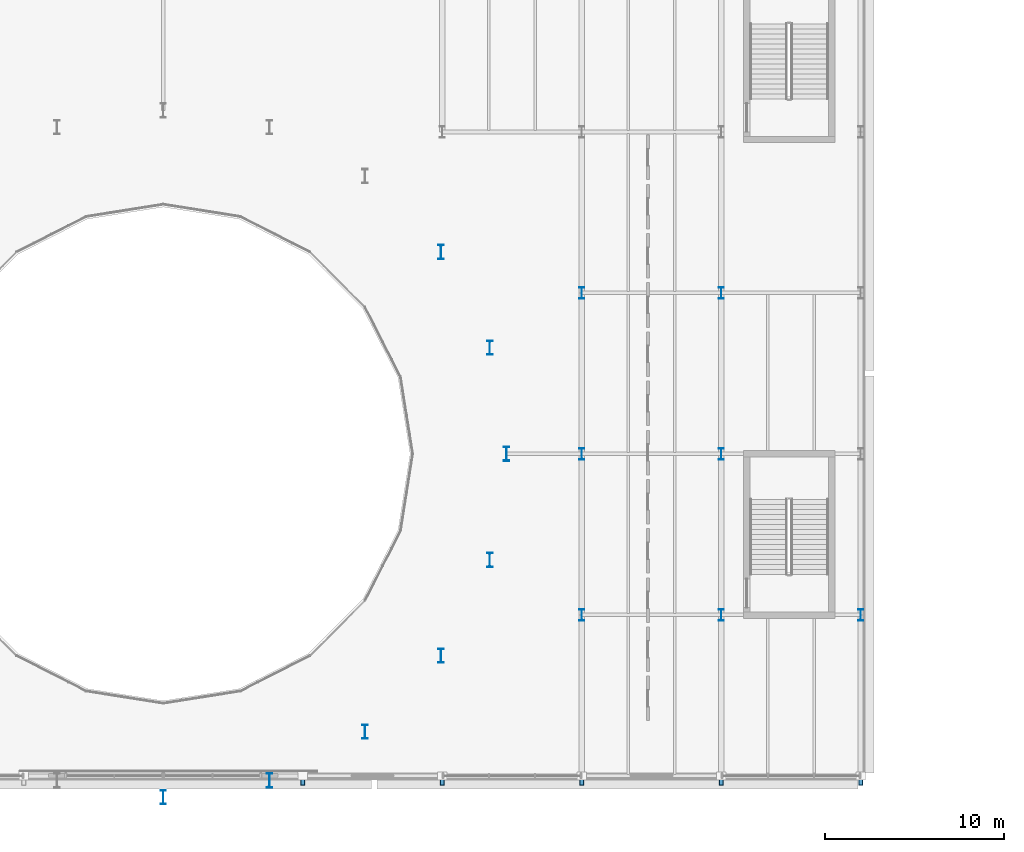
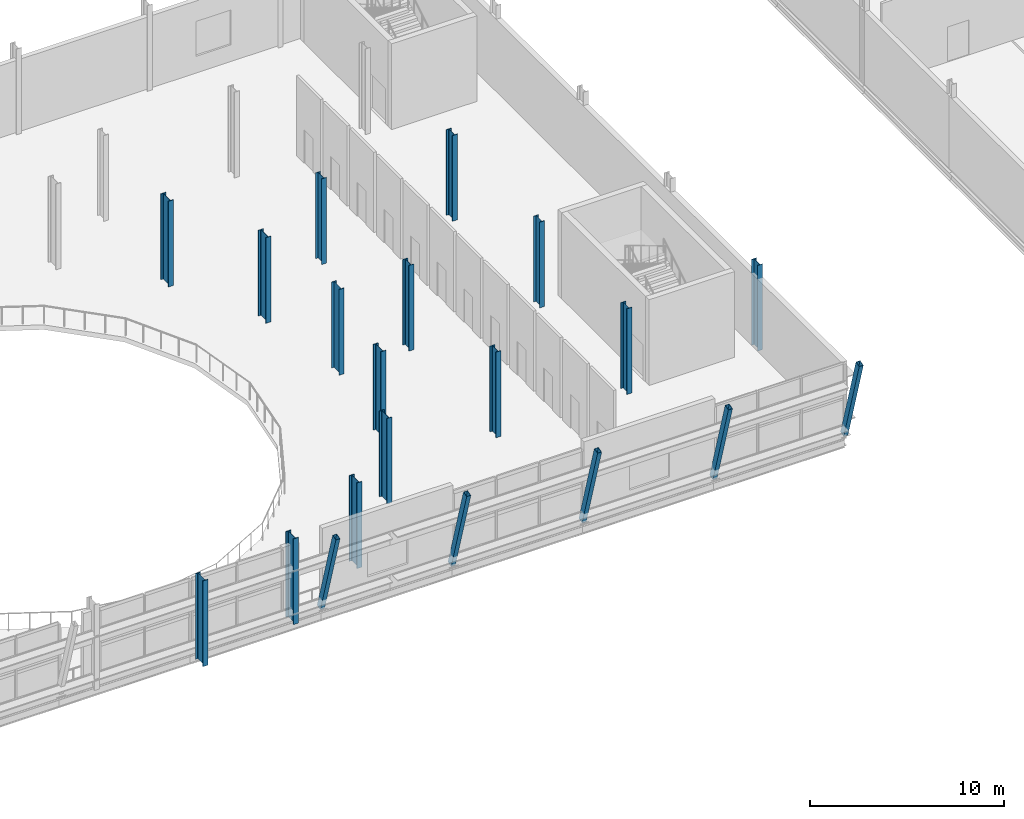
# One storey, part 4 of 78: 20 columns.
"""IFC4 building model written with IfcOpenShell, lengths in metres."""

from ifc_helpers import new_model, si_unit, direction, frame, origin, origin_2d, place, context, subcontext, project, spatial, hollow_rectangle, i_section, extrude, material, material_profile, profile_set, type_object, element, save


model = new_model("IFC4")

# Units and contexts
model_context = context("Model", 3, precision=1e-05, world=origin(), true_north=direction((0.0, 1.0)))
body_context = subcontext(model_context, "Body", "Model", "MODEL_VIEW")
ifc_project = project(units=[si_unit("LENGTHUNIT", "METRE"), si_unit("AREAUNIT", "SQUARE_METRE"), si_unit("VOLUMEUNIT", "CUBIC_METRE"), si_unit("PLANEANGLEUNIT", "RADIAN"), si_unit("MASSUNIT", "GRAM", prefix="KILO")], contexts=[model_context])

# Site, building, storey
site_placement = place(None, origin())
site = spatial("IfcSite", under=ifc_project, at=site_placement, CompositionType="ELEMENT")
building_placement = place(site_placement, origin())
building = spatial("IfcBuilding", under=site, at=building_placement, Name="Sefraquen Railside Congress Hotel", CompositionType="ELEMENT")
storey_placement = place(building_placement, frame((0.0, 0.0, 6.0)))
storey = spatial("IfcBuildingStorey", under=building, at=storey_placement, Name="L01", CompositionType="ELEMENT", Elevation=6.0)

# Columns
ifc_material_1 = material(Name="Steel S355JR", Category="steel")
ifc_material_profile_1 = material_profile(ifc_material_1, i_section(OverallWidth=0.300048828125, OverallDepth=0.64990234375, WebThickness=0.01611328125, FlangeThickness=0.031005859375, FilletRadius=0.027099609375, at=origin_2d()), Name="HEB 650")
ifc_profile_set_1 = profile_set([ifc_material_profile_1], Name="Steel S355JR")
column_type_1 = type_object("IfcColumnType", Name="TC-HEB-650", PredefinedType="COLUMN", material=ifc_profile_set_1)
for number, where, z_axis, x_axis, name in (
    (1, (87.60009765625, 18.0, 0.0), (0.0, 0.0, 1.0), (1.0, 0.0, 0.0), "Structural column 12-C L01"),
    (2, (87.60009765625, 27.0, 0.0), (0.0, 0.0, 1.0), (1.0, 0.0, 0.0), "Structural column 12-D L01"),
    (3, (87.60009765625, 36.0, 0.0), (0.0, 0.0, 1.0), (1.0, 0.0, 0.0), "Structural column 12-E L01"),
    (4, (95.39990234375, 18.0, 0.0), (0.0, 0.0, 1.0), (1.0, 0.0, 0.0), "Structural column 13-C L01"),
    (5, (95.39990234375, 27.0, 0.0), (0.0, 0.0, 1.0), (1.0, 0.0, 0.0), "Structural column 13-D L01"),
    (6, (95.39990234375, 36.0, 0.0), (0.0, 0.0, 1.0), (1.0, 0.0, 0.0), "Structural column 13-E L01"),
    (7, (103.199951171875, 18.0, 0.0), (0.0, 0.0, 1.0), (1.0, 0.0, 0.0), "Structural column 14-C L01"),
):
    element("IfcColumn", number, at=place(storey_placement, frame(where, z_axis=z_axis, x_axis=x_axis)), inside=storey, type_object=column_type_1, Name=name, PredefinedType="COLUMN", context=body_context, shape_type="SweptSolid", body=[
        extrude(i_section(OverallWidth=0.300048828125, OverallDepth=0.64990234375, WebThickness=0.01611328125, FlangeThickness=0.031005859375, FilletRadius=0.027099609375, at=origin_2d()), origin(), (0.0, 0.0, 1.0), 5.39990234375),
    ])
ifc_material_profile_2 = material_profile(ifc_material_1, i_section(OverallWidth=0.300048828125, OverallDepth=0.800048828125, WebThickness=0.017578125, FlangeThickness=0.032958984375, FilletRadius=0.030029296875, at=origin_2d()), Name="HEB 800")
ifc_profile_set_2 = profile_set([ifc_material_profile_2], Name="Steel S355JR")
column_type_2 = type_object("IfcColumnType", Name="TC-HEB-800", PredefinedType="COLUMN", material=ifc_profile_set_2)
for number, where, z_axis, x_axis, name in (
    (8, (83.39990234375, 27.0, 0.0), (0.0, 0.0, 1.0), (1.0, 0.0, 0.0), "Structural column DRM-01 L01"),
    (9, (82.460205078125, 32.93310546875, 0.0), (0.0, 0.0, 1.0), (1.0, 0.0, 0.0), "Structural column DRM-02 L01"),
    (10, (79.733154296875, 38.285400390625, 0.0), (0.0, 0.0, 1.0), (1.0, 0.0, 0.0), "Structural column DRM-03 L01"),
    (11, (64.199951171875, 7.800048828125, 0.0), (0.0, 0.0, 1.0), (1.0, 0.0, 0.0), "Structural column DRM-16 L01"),
    (12, (70.133056640625, 8.73974609375, 0.0), (0.0, 0.0, 1.0), (1.0, 0.0, 0.0), "Structural column DRM-17 L01"),
    (13, (75.485595703125, 11.466796875, 0.0), (0.0, 0.0, 1.0), (1.0, 0.0, 0.0), "Structural column DRM-18 L01"),
    (14, (79.733154296875, 15.714599609375, 0.0), (0.0, 0.0, 1.0), (1.0, 0.0, 0.0), "Structural column DRM-19 L01"),
    (15, (82.460205078125, 21.06689453125, 0.0), (0.0, 0.0, 1.0), (1.0, 0.0, 0.0), "Structural column DRM-20 L01"),
):
    element("IfcColumn", number, at=place(storey_placement, frame(where, z_axis=z_axis, x_axis=x_axis)), inside=storey, type_object=column_type_2, Name=name, PredefinedType="COLUMN", context=body_context, shape_type="SweptSolid", body=[
        extrude(i_section(OverallWidth=0.300048828125, OverallDepth=0.800048828125, WebThickness=0.017578125, FlangeThickness=0.032958984375, FilletRadius=0.030029296875, at=origin_2d()), origin(), (0.0, 0.0, 1.0), 5.39990234375),
    ])
ifc_material_2 = material(Name="Steel S355J2", Category="steel")
ifc_material_profile_3 = material_profile(ifc_material_2, hollow_rectangle(XDim=0.25, YDim=0.35009765625, WallThickness=0.01611328125, at=origin_2d()), Name="RHS 350x250x16")
ifc_profile_set_3 = profile_set([ifc_material_profile_3], Name="Steel S355J2")
column_type_3 = type_object("IfcColumnType", Name="TC-INC-600", PredefinedType="USERDEFINED", material=ifc_profile_set_3)
for number, where, z_axis, x_axis, name in (
    (16, (72.0, 9.0, 0.030029296875), (0.0, -0.285679378709, 0.958325254066), (1.0, 0.0, 0.0), "Inclined Congress hull column S-10 L01"),
    (17, (79.800048828125, 9.0, 0.030029296875), (0.0, -0.285679378709, 0.958325254066), (1.0, 0.0, 0.0), "Inclined Congress hull column S-11 L01"),
    (18, (87.60009765625, 9.0, 0.030029296875), (0.0, -0.285679378709, 0.958325254066), (1.0, 0.0, 0.0), "Inclined Congress hull column S-12 L01"),
    (19, (95.39990234375, 9.0, 0.030029296875), (0.0, -0.285679378709, 0.958325254066), (1.0, 0.0, 0.0), "Inclined Congress hull column S-13 L01"),
    (20, (103.199951171875, 9.0, 0.030029296875), (0.0, -0.285679378709, 0.958325254066), (1.0, 0.0, 0.0), "Inclined Congress hull column S-14 L01"),
):
    element("IfcColumn", number, at=place(storey_placement, frame(where, z_axis=z_axis, x_axis=x_axis)), inside=storey, type_object=column_type_3, Name=name, ObjectType="INCLINED COLUMN", PredefinedType="USERDEFINED", context=body_context, shape_type="SweptSolid", body=[
        extrude(hollow_rectangle(XDim=0.25, YDim=0.35009765625, WallThickness=0.01611328125, at=origin_2d()), origin(), (0.0, 0.0, 1.0), 5.599365234375),
    ])

save(model, "model.ifc")
